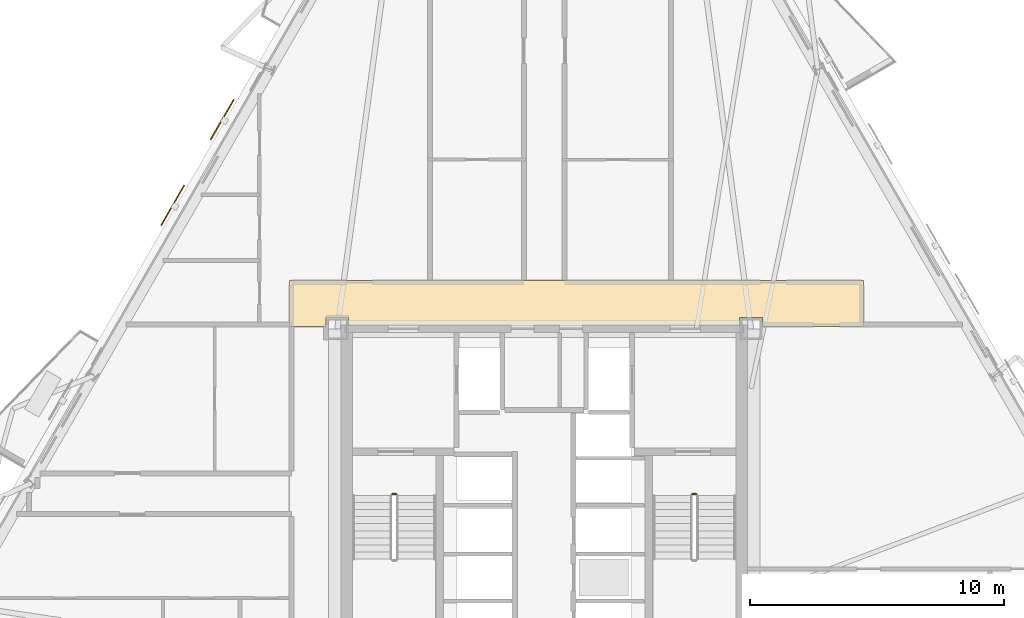
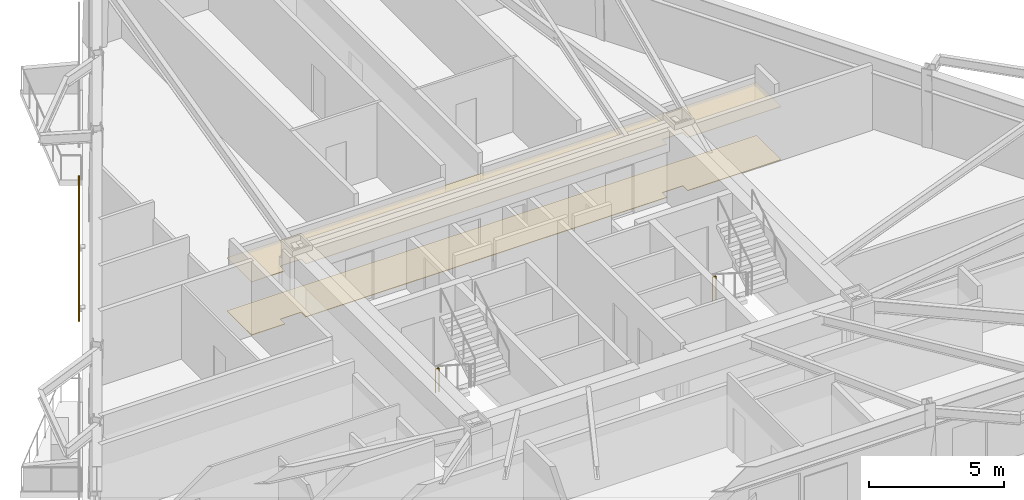
# One storey, part 9 of 11: 2 coverings, 2 railings, 2 shading devices.
"""IFC4 building model written with IfcOpenShell, lengths in metres."""

from ifc_helpers import new_model, si_unit, direction, frame, origin, origin_2d, place, context, subcontext, project, spatial, polyline, rectangle, circle, outline, extrude, material, layer, layer_set, type_object, element, save


model = new_model("IFC4")

# Units and contexts
model_context = context("Model", 3, precision=1e-05, world=origin(), true_north=direction((0.0, 1.0)))
body_context = subcontext(model_context, "Body", "Model", "MODEL_VIEW")
ifc_project = project(units=[si_unit("LENGTHUNIT", "METRE"), si_unit("AREAUNIT", "SQUARE_METRE"), si_unit("VOLUMEUNIT", "CUBIC_METRE"), si_unit("PLANEANGLEUNIT", "RADIAN"), si_unit("MASSUNIT", "GRAM", prefix="KILO")], contexts=[model_context])

# Site, building, storey
site_placement = place(None, origin())
site = spatial("IfcSite", under=ifc_project, at=site_placement, CompositionType="ELEMENT")
building_placement = place(site_placement, origin())
building = spatial("IfcBuilding", under=site, at=building_placement, Name="Oramaril Tower", CompositionType="ELEMENT")
storey_placement = place(building_placement, frame((0.0, 0.0, 112.199951171875)))
storey = spatial("IfcBuildingStorey", under=building, at=storey_placement, Name="L29", CompositionType="ELEMENT", Elevation=112.199951171875)

# Coverings
ifc_material_1 = material(Name="Mineral Fibre Acoustic Ceiling")
ifc_layer_1 = layer(ifc_material_1, 0.02001953125)
ifc_layer_set_1 = layer_set([ifc_layer_1], Name="CVT-CEIL")
covering_type_1 = type_object("IfcCoveringType", Name="CVT-CEIL", PredefinedType="CEILING", material=ifc_layer_set_1)
covering_1_placement = place(storey_placement, frame((0.0, 0.0, 2.400146484375)))
element("IfcCovering", 1, at=covering_1_placement, inside=storey, type_object=covering_type_1, Name="L29 Acoustic Suspended Ceiling 2", PredefinedType="CEILING", context=body_context, shape_type="SweptSolid", body=[
    extrude(outline(polyline([(50.080078125, 24.239990234375), (46.094970703125, 24.239990234375), (46.094970703125, 24.594970703125), (45.205078125, 24.594970703125), (45.205078125, 24.25), (29.794921875, 24.25), (29.794921875, 24.594970703125), (28.905029296875, 24.594970703125), (28.905029296875, 24.239990234375), (27.469970703125, 24.239990234375), (27.469970703125, 26.050048828125), (50.080078125, 26.050048828125), (50.080078125, 24.239990234375)])), origin(), (0.0, 0.0, 1.0), 0.02001953125),
])
ifc_material_2 = material(Name="Honed Quartzite Stone Flooring", Category="masonry")
ifc_layer_2 = layer(ifc_material_2, 0.02490234375)
ifc_layer_set_2 = layer_set([ifc_layer_2], Name="CVT-FLR")
covering_type_2 = type_object("IfcCoveringType", Name="CVT-FLR", PredefinedType="FLOORING", material=ifc_layer_set_2)
covering_2_placement = place(storey_placement, origin())
element("IfcCovering", 2, at=covering_2_placement, inside=storey, type_object=covering_type_2, Name="L29 Honed Stone Floor Finish 2", PredefinedType="FLOORING", context=body_context, shape_type="SweptSolid", body=[
    extrude(outline(polyline([(50.080078125, 24.239990234375), (46.094970703125, 24.239990234375), (46.094970703125, 24.594970703125), (45.205078125, 24.594970703125), (45.205078125, 24.25), (29.794921875, 24.25), (29.794921875, 24.594970703125), (28.905029296875, 24.594970703125), (28.905029296875, 24.239990234375), (27.469970703125, 24.239990234375), (27.469970703125, 26.050048828125), (50.080078125, 26.050048828125), (50.080078125, 24.239990234375)])), origin(), (0.0, 0.0, 1.0), 0.025146484375),
])

# Railings
ifc_material_3 = material(Name="Stainless Steel 316L", Category="steel")
railing_type = type_object("IfcRailingType", Name="RLT-GRD", PredefinedType="GUARDRAIL", material=ifc_material_3)
for number, where, name in (
    (3, (31.510009765625, 17.639892578125, 0.0), "L29 ST-1 stair guard 4"),
    (4, (43.340087890625, 17.639892578125, 0.0), "L29 ST-2 stair guard 4"),
):
    element("IfcRailing", number, at=place(storey_placement, frame(where)), inside=storey, type_object=railing_type, Name=name, PredefinedType="GUARDRAIL", context=body_context, shape_type="SweptSolid", body=[
        extrude(circle(Radius=0.02392578125, at=origin_2d()), frame((0.0, 0.0, 1.076171875), z_axis=(1.0, 0.0, 0.0), x_axis=(0.0, 1.0, 0.0)), (0.0, 0.0, 1.0), 0.14990234375),
        extrude(circle(Radius=0.02099609375, at=origin_2d()), origin(), (0.0, 0.0, 1.0), 1.052001953125),
        extrude(circle(Radius=0.02099609375, at=origin_2d()), frame((0.14990234375, 0.0, 0.0)), (0.0, 0.0, 1.0), 1.052001953125),
    ])

# Shading devices
for number, where, z_axis, x_axis, name in (
    (5, (24.8125, 32.39501953125, -0.02001953125), (0.0, 0.0, 1.0), (-0.5, -0.866025403784, 0.0), "L29 Perforated Ceramic Solar Screen"),
    (6, (22.862548828125, 29.017578125, -0.02001953125), (0.0, 0.0, 1.0), (-0.5, -0.866025403784, 0.0), "L29 Perforated Ceramic Solar Screen"),
):
    element("IfcShadingDevice", number, at=place(storey_placement, frame(where, z_axis=z_axis, x_axis=x_axis)), inside=storey, Name=name, ObjectType="SCREEN", PredefinedType="USERDEFINED", context=body_context, shape_type="SweptSolid", body=[
        extrude(rectangle(XDim=1.8330078125, YDim=0.050048828125, at=origin_2d()), origin(), (0.0, 0.0, 1.0), 2.577880859375),
    ])

save(model, "model.ifc")
